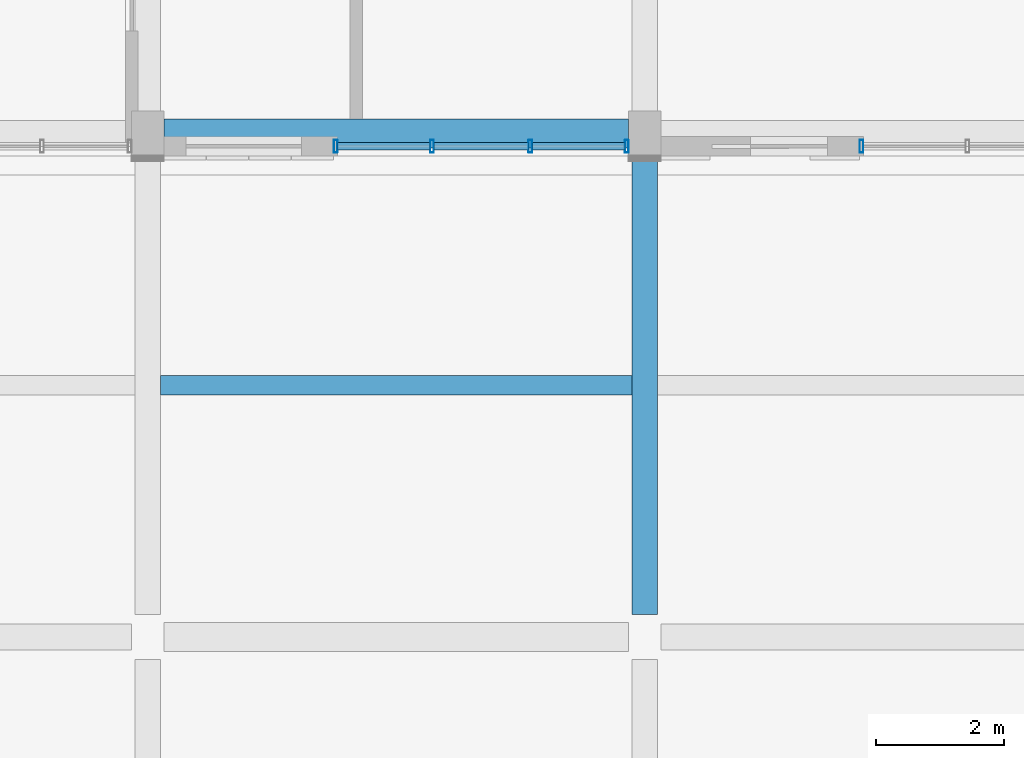
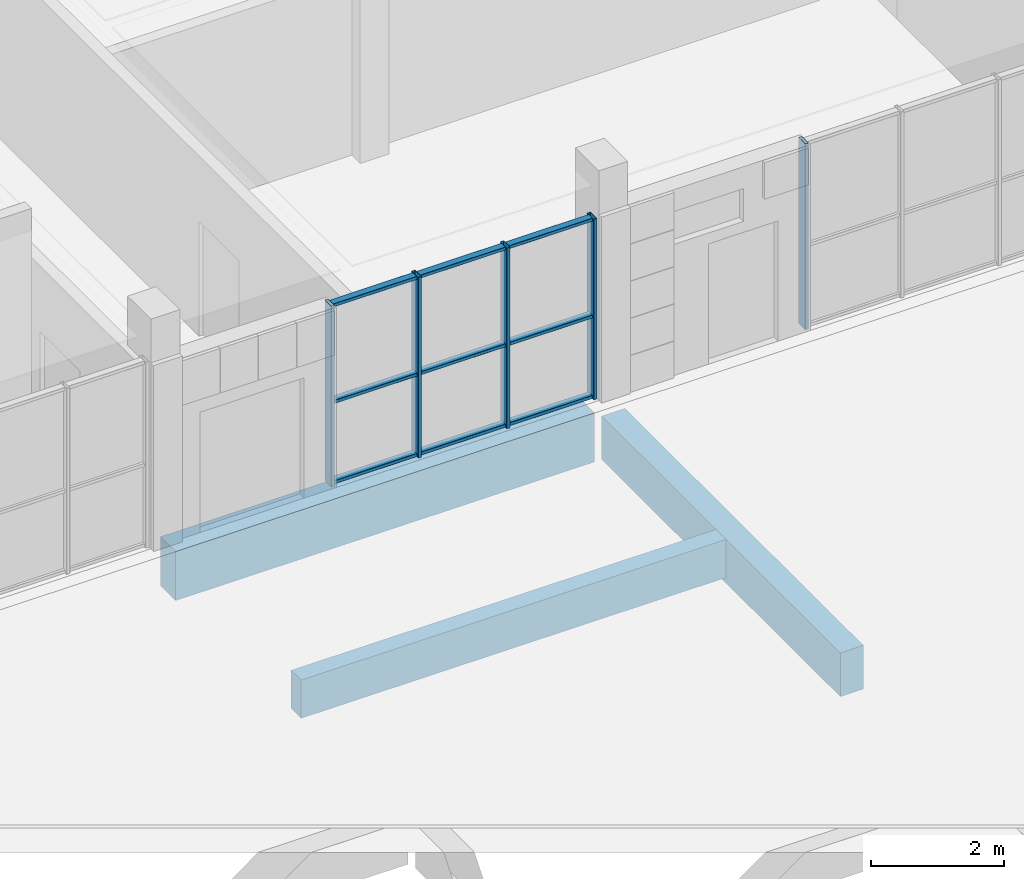
# One storey, part 8 of 42: 14 members, 3 beams, 2 elements without a shape of their own.
"""IFC4 building model written with IfcOpenShell, lengths in metres."""

from ifc_helpers import new_model, si_unit, direction, frame, origin, origin_2d, place, context, subcontext, project, spatial, rectangle, hollow_rectangle, extrude, material, material_profile, profile_set, type_object, element, aggregate, save


model = new_model("IFC4")

# Units and contexts
model_context = context("Model", 3, precision=1e-05, world=origin(), true_north=direction((0.0, 1.0)))
body_context = subcontext(model_context, "Body", "Model", "MODEL_VIEW")
ifc_project = project(units=[si_unit("LENGTHUNIT", "METRE"), si_unit("AREAUNIT", "SQUARE_METRE"), si_unit("VOLUMEUNIT", "CUBIC_METRE"), si_unit("PLANEANGLEUNIT", "RADIAN"), si_unit("MASSUNIT", "GRAM", prefix="KILO")], contexts=[model_context])

# Site, building, storey
site_placement = place(None, origin())
site = spatial("IfcSite", under=ifc_project, at=site_placement, CompositionType="ELEMENT")
building_placement = place(site_placement, origin())
building = spatial("IfcBuilding", under=site, at=building_placement, Name="Sun Court Science Centre", CompositionType="ELEMENT")
storey_placement = place(building_placement, frame((0.0, 0.0, 20.25)))
storey = spatial("IfcBuildingStorey", under=building, at=storey_placement, Name="L04", CompositionType="ELEMENT", Elevation=20.25)

# Curtain wall, member
ifc_material_1 = material(Name="Aluminium EN AW-6063 T6", Category="aluminium")
curtain_wall_type = type_object("IfcCurtainWallType", Name="Laboratory tall bay curtain wall 1500", PredefinedType="NOTDEFINED", material=ifc_material_1)
curtain_wall_1_placement = place(storey_placement, origin())
curtain_wall_1 = element("IfcCurtainWall", 1, at=curtain_wall_1_placement, inside=storey, type_object=curtain_wall_type, Name="Curtain wall V4 S4 L04 01", PredefinedType="NOTDEFINED")
ifc_material_2 = material(Name="Aluminium EN AW-6063 T6", Category="aluminium")
ifc_material_profile_1 = material_profile(ifc_material_2, hollow_rectangle(XDim=0.06005859375, YDim=0.199951171875, WallThickness=0.0048828125, InnerFilletRadius=0.0048828125, OuterFilletRadius=0.007568359375, at=origin_2d()), Name="AL 60x200x5")
ifc_profile_set_1 = profile_set([ifc_material_profile_1], Name="Aluminium EN AW-6063 T6")
member_type_1 = type_object("IfcMemberType", Name="Curtain wall mullion AL 60x200", PredefinedType="MULLION", material=ifc_profile_set_1)
member_1_placement = place(storey_placement, frame((98.3798828125, 28.64990234375, 0.0), z_axis=(0.0, 0.0, 1.0), x_axis=(-1.0, 0.0, 0.0)))
member_1 = element("IfcMember", 2, at=member_1_placement, type_object=member_type_1, Name="CW2-55 mullion 4", PredefinedType="MULLION", context=body_context, shape_type="SweptSolid", body=[
    extrude(hollow_rectangle(XDim=0.06005859375, YDim=0.199951171875, WallThickness=0.0048828125, InnerFilletRadius=0.0048828125, OuterFilletRadius=0.007568359375, at=origin_2d()), origin(), (0.0, 0.0, 1.0), 3.39990234375),
])
aggregate(curtain_wall_1, [member_1])

# Curtain wall, members
curtain_wall_2_placement = place(storey_placement, origin())
curtain_wall_2 = element("IfcCurtainWall", 3, at=curtain_wall_2_placement, inside=storey, type_object=curtain_wall_type, Name="Curtain wall V4 S4 L04 02", PredefinedType="NOTDEFINED")
member_2_placement = place(storey_placement, frame((90.179931640625, 28.64990234375, 0.0), z_axis=(0.0, 0.0, 1.0), x_axis=(-1.0, 0.0, 0.0)))
member_2 = element("IfcMember", 4, at=member_2_placement, type_object=member_type_1, Name="CW2-56 mullion 4", PredefinedType="MULLION", context=body_context, shape_type="SweptSolid", body=[
    extrude(hollow_rectangle(XDim=0.06005859375, YDim=0.199951171875, WallThickness=0.0048828125, InnerFilletRadius=0.0048828125, OuterFilletRadius=0.007568359375, at=origin_2d()), origin(), (0.0, 0.0, 1.0), 3.300048828125),
])
member_3_placement = place(storey_placement, frame((91.683349609375, 28.64990234375, 0.0), z_axis=(0.0, 0.0, 1.0), x_axis=(-1.0, 0.0, 0.0)))
member_3 = element("IfcMember", 5, at=member_3_placement, type_object=member_type_1, Name="CW2-56 mullion 3", PredefinedType="MULLION", context=body_context, shape_type="SweptSolid", body=[
    extrude(hollow_rectangle(XDim=0.06005859375, YDim=0.199951171875, WallThickness=0.0048828125, InnerFilletRadius=0.0048828125, OuterFilletRadius=0.007568359375, at=origin_2d()), origin(), (0.0, 0.0, 1.0), 3.300048828125),
])
member_4_placement = place(storey_placement, frame((93.216552734375, 28.64990234375, 0.0), z_axis=(0.0, 0.0, 1.0), x_axis=(-1.0, 0.0, 0.0)))
member_4 = element("IfcMember", 6, at=member_4_placement, type_object=member_type_1, Name="CW2-56 mullion 2", PredefinedType="MULLION", context=body_context, shape_type="SweptSolid", body=[
    extrude(hollow_rectangle(XDim=0.06005859375, YDim=0.199951171875, WallThickness=0.0048828125, InnerFilletRadius=0.0048828125, OuterFilletRadius=0.007568359375, at=origin_2d()), origin(), (0.0, 0.0, 1.0), 3.300048828125),
])
member_5_placement = place(storey_placement, frame((94.719970703125, 28.64990234375, 0.0), z_axis=(0.0, 0.0, 1.0), x_axis=(-1.0, 0.0, 0.0)))
member_5 = element("IfcMember", 7, at=member_5_placement, type_object=member_type_1, Name="CW2-56 mullion 1", PredefinedType="MULLION", context=body_context, shape_type="SweptSolid", body=[
    extrude(hollow_rectangle(XDim=0.06005859375, YDim=0.199951171875, WallThickness=0.0048828125, InnerFilletRadius=0.0048828125, OuterFilletRadius=0.007568359375, at=origin_2d()), origin(), (0.0, 0.0, 1.0), 3.300048828125),
])
ifc_material_3 = material(Name="Aluminium EN AW-6063 T6", Category="aluminium")
ifc_material_profile_2 = material_profile(ifc_material_3, hollow_rectangle(XDim=0.06005859375, YDim=0.1201171875, WallThickness=0.00390625, InnerFilletRadius=0.00390625, OuterFilletRadius=0.006103515625, at=origin_2d()), Name="AL 60x120x4")
ifc_profile_set_2 = profile_set([ifc_material_profile_2], Name="Aluminium EN AW-6063 T6")
member_type_2 = type_object("IfcMemberType", Name="Curtain wall transom AL 60x120", PredefinedType="USERDEFINED", material=ifc_profile_set_2)
member_6_placement = place(storey_placement, frame((91.6533203125, 28.64990234375, 0.030029296875), z_axis=(-1.0, 0.0, 0.0), x_axis=(0.0, 0.0, 1.0)))
member_6 = element("IfcMember", 8, at=member_6_placement, type_object=member_type_2, Name="CW2-56 transom 3.1", ObjectType="TRANSOM", PredefinedType="USERDEFINED", context=body_context, shape_type="SweptSolid", body=[
    extrude(hollow_rectangle(XDim=0.06005859375, YDim=0.1201171875, WallThickness=0.00390625, InnerFilletRadius=0.00390625, OuterFilletRadius=0.006103515625, at=origin_2d()), origin(), (0.0, 0.0, 1.0), 1.443359375),
])
member_7_placement = place(storey_placement, frame((93.186767578125, 28.64990234375, 0.030029296875), z_axis=(-1.0, 0.0, 0.0), x_axis=(0.0, 0.0, 1.0)))
member_7 = element("IfcMember", 9, at=member_7_placement, type_object=member_type_2, Name="CW2-56 transom 2.1", ObjectType="TRANSOM", PredefinedType="USERDEFINED", context=body_context, shape_type="SweptSolid", body=[
    extrude(hollow_rectangle(XDim=0.06005859375, YDim=0.1201171875, WallThickness=0.00390625, InnerFilletRadius=0.00390625, OuterFilletRadius=0.006103515625, at=origin_2d()), origin(), (0.0, 0.0, 1.0), 1.473388671875),
])
member_8_placement = place(storey_placement, frame((94.68994140625, 28.64990234375, 0.030029296875), z_axis=(-1.0, 0.0, 0.0), x_axis=(0.0, 0.0, 1.0)))
member_8 = element("IfcMember", 10, at=member_8_placement, type_object=member_type_2, Name="CW2-56 transom 1.1", ObjectType="TRANSOM", PredefinedType="USERDEFINED", context=body_context, shape_type="SweptSolid", body=[
    extrude(hollow_rectangle(XDim=0.06005859375, YDim=0.1201171875, WallThickness=0.00390625, InnerFilletRadius=0.00390625, OuterFilletRadius=0.006103515625, at=origin_2d()), origin(), (0.0, 0.0, 1.0), 1.443359375),
])
member_9_placement = place(storey_placement, frame((91.6533203125, 28.64990234375, 1.5), z_axis=(-1.0, 0.0, 0.0), x_axis=(0.0, 0.0, 1.0)))
member_9 = element("IfcMember", 11, at=member_9_placement, type_object=member_type_2, Name="CW2-56 transom 3.2", ObjectType="TRANSOM", PredefinedType="USERDEFINED", context=body_context, shape_type="SweptSolid", body=[
    extrude(hollow_rectangle(XDim=0.06005859375, YDim=0.1201171875, WallThickness=0.00390625, InnerFilletRadius=0.00390625, OuterFilletRadius=0.006103515625, at=origin_2d()), origin(), (0.0, 0.0, 1.0), 1.443359375),
])
member_10_placement = place(storey_placement, frame((93.186767578125, 28.64990234375, 1.5), z_axis=(-1.0, 0.0, 0.0), x_axis=(0.0, 0.0, 1.0)))
member_10 = element("IfcMember", 12, at=member_10_placement, type_object=member_type_2, Name="CW2-56 transom 2.2", ObjectType="TRANSOM", PredefinedType="USERDEFINED", context=body_context, shape_type="SweptSolid", body=[
    extrude(hollow_rectangle(XDim=0.06005859375, YDim=0.1201171875, WallThickness=0.00390625, InnerFilletRadius=0.00390625, OuterFilletRadius=0.006103515625, at=origin_2d()), origin(), (0.0, 0.0, 1.0), 1.473388671875),
])
member_11_placement = place(storey_placement, frame((94.68994140625, 28.64990234375, 1.5), z_axis=(-1.0, 0.0, 0.0), x_axis=(0.0, 0.0, 1.0)))
member_11 = element("IfcMember", 13, at=member_11_placement, type_object=member_type_2, Name="CW2-56 transom 1.2", ObjectType="TRANSOM", PredefinedType="USERDEFINED", context=body_context, shape_type="SweptSolid", body=[
    extrude(hollow_rectangle(XDim=0.06005859375, YDim=0.1201171875, WallThickness=0.00390625, InnerFilletRadius=0.00390625, OuterFilletRadius=0.006103515625, at=origin_2d()), origin(), (0.0, 0.0, 1.0), 1.443359375),
])
member_12_placement = place(storey_placement, frame((91.6533203125, 28.64990234375, 3.27001953125), z_axis=(-1.0, 0.0, 0.0), x_axis=(0.0, 0.0, 1.0)))
member_12 = element("IfcMember", 14, at=member_12_placement, type_object=member_type_2, Name="CW2-56 transom 3.3", ObjectType="TRANSOM", PredefinedType="USERDEFINED", context=body_context, shape_type="SweptSolid", body=[
    extrude(hollow_rectangle(XDim=0.06005859375, YDim=0.1201171875, WallThickness=0.00390625, InnerFilletRadius=0.00390625, OuterFilletRadius=0.006103515625, at=origin_2d()), origin(), (0.0, 0.0, 1.0), 1.443359375),
])
member_13_placement = place(storey_placement, frame((93.186767578125, 28.64990234375, 3.27001953125), z_axis=(-1.0, 0.0, 0.0), x_axis=(0.0, 0.0, 1.0)))
member_13 = element("IfcMember", 15, at=member_13_placement, type_object=member_type_2, Name="CW2-56 transom 2.3", ObjectType="TRANSOM", PredefinedType="USERDEFINED", context=body_context, shape_type="SweptSolid", body=[
    extrude(hollow_rectangle(XDim=0.06005859375, YDim=0.1201171875, WallThickness=0.00390625, InnerFilletRadius=0.00390625, OuterFilletRadius=0.006103515625, at=origin_2d()), origin(), (0.0, 0.0, 1.0), 1.473388671875),
])
member_14_placement = place(storey_placement, frame((94.68994140625, 28.64990234375, 3.27001953125), z_axis=(-1.0, 0.0, 0.0), x_axis=(0.0, 0.0, 1.0)))
member_14 = element("IfcMember", 16, at=member_14_placement, type_object=member_type_2, Name="CW2-56 transom 1.3", ObjectType="TRANSOM", PredefinedType="USERDEFINED", context=body_context, shape_type="SweptSolid", body=[
    extrude(hollow_rectangle(XDim=0.06005859375, YDim=0.1201171875, WallThickness=0.00390625, InnerFilletRadius=0.00390625, OuterFilletRadius=0.006103515625, at=origin_2d()), origin(), (0.0, 0.0, 1.0), 1.443359375),
])
aggregate(curtain_wall_2, [member_2, member_3, member_4, member_5, member_6, member_7, member_8, member_9, member_10, member_11, member_12, member_13, member_14])

# Beams
ifc_material_4 = material(Name="Concrete C25/30", Category="concrete")
ifc_material_profile_3 = material_profile(ifc_material_4, rectangle(XDim=0.39990234375, YDim=0.800048828125, at=origin_2d()), Name="RC 400x800")
ifc_profile_set_3 = profile_set([ifc_material_profile_3], Name="Concrete C25/30")
beam_type_1 = type_object("IfcBeamType", Name="RC girder 400x800", PredefinedType="BEAM", material=ifc_profile_set_3)
beam_1_placement = place(storey_placement, frame((95.0, 21.35009765625, -0.699951171875), z_axis=(0.0, 1.0, 0.0), x_axis=(-1.0, 0.0, 0.0)))
element("IfcBeam", 17, at=beam_1_placement, inside=storey, type_object=beam_type_1, Name="Girder L04 line 3", PredefinedType="BEAM", context=body_context, shape_type="SweptSolid", body=[
    extrude(rectangle(XDim=0.39990234375, YDim=0.800048828125, at=origin_2d()), origin(), (0.0, 0.0, 1.0), 7.14990234375),
])
ifc_material_5 = material(Name="Concrete C25/30", Category="concrete")
ifc_material_profile_4 = material_profile(ifc_material_5, rectangle(XDim=0.449951171875, YDim=0.89990234375, at=origin_2d()), Name="RC 450x900")
ifc_profile_set_4 = profile_set([ifc_material_profile_4], Name="Concrete C25/30")
beam_type_2 = type_object("IfcBeamType", Name="RC girder 450x900", PredefinedType="BEAM", material=ifc_profile_set_4)
beam_2_placement = place(storey_placement, frame((87.5, 28.85009765625, -0.75), z_axis=(1.0, 0.0, 0.0), x_axis=(0.0, 1.0, 0.0)))
element("IfcBeam", 18, at=beam_2_placement, inside=storey, type_object=beam_type_2, Name="Girder L04 row 4", PredefinedType="BEAM", context=body_context, shape_type="SweptSolid", body=[
    extrude(rectangle(XDim=0.449951171875, YDim=0.89990234375, at=origin_2d()), origin(), (0.0, 0.0, 1.0), 7.25),
])
ifc_material_6 = material(Name="Concrete C25/30", Category="concrete")
ifc_material_profile_5 = material_profile(ifc_material_6, rectangle(XDim=0.300048828125, YDim=0.699951171875, at=origin_2d()), Name="RC 300x700")
ifc_profile_set_5 = profile_set([ifc_material_profile_5], Name="Concrete C25/30")
beam_type_3 = type_object("IfcBeamType", Name="RC joist 300x700", PredefinedType="JOIST", material=ifc_profile_set_5)
beam_3_placement = place(storey_placement, frame((87.449951171875, 24.925048828125, -0.64990234375), z_axis=(1.0, 0.0, 0.0), x_axis=(0.0, 1.0, 0.0)))
element("IfcBeam", 19, at=beam_3_placement, inside=storey, type_object=beam_type_3, Name="Joist L04", PredefinedType="JOIST", context=body_context, shape_type="SweptSolid", body=[
    extrude(rectangle(XDim=0.300048828125, YDim=0.699951171875, at=origin_2d()), origin(), (0.0, 0.0, 1.0), 7.35009765625),
])

save(model, "model.ifc")
